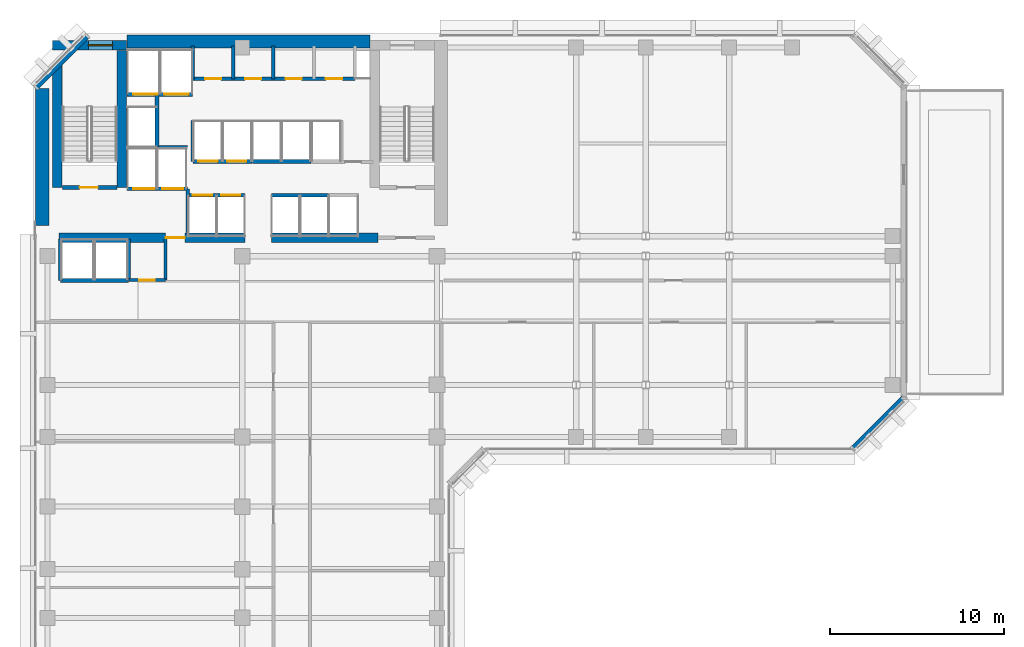
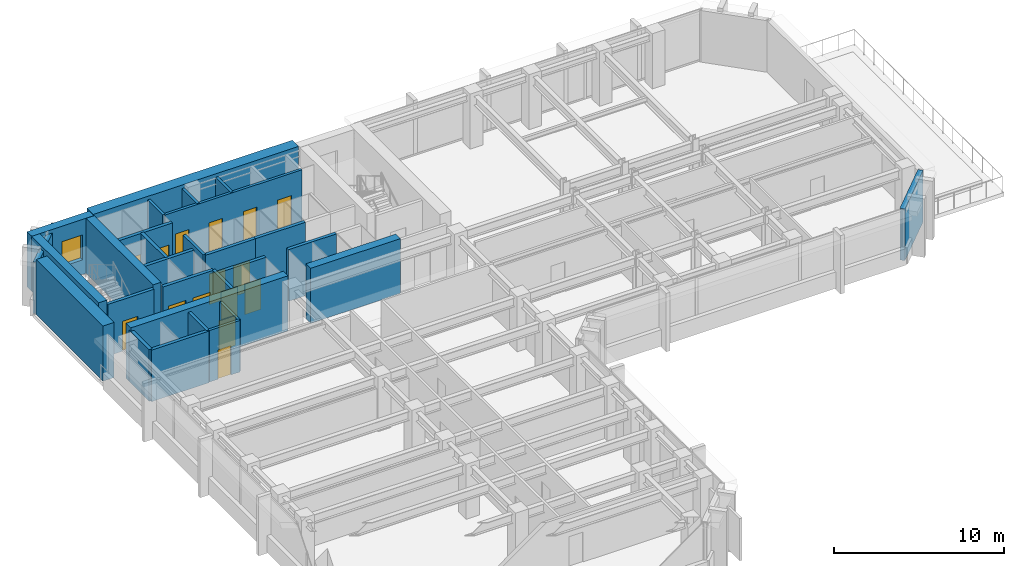
# One storey, part 7 of 12: 29 walls, 15 doors, 1 window, 16 openings.
"""IFC4 building model written with IfcOpenShell, lengths in metres."""

from ifc_helpers import new_model, si_unit, direction, frame, frame_2d, origin, place, context, subcontext, project, spatial, rectangle, extrude, material, layer, layer_set, type_object, element, fill, save


model = new_model("IFC4")

# Units and contexts
model_context = context("Model", 3, precision=1e-05, world=origin(), true_north=direction((0.0, 1.0)))
body_context = subcontext(model_context, "Body", "Model", "MODEL_VIEW")
ifc_project = project(units=[si_unit("LENGTHUNIT", "METRE"), si_unit("AREAUNIT", "SQUARE_METRE"), si_unit("VOLUMEUNIT", "CUBIC_METRE"), si_unit("PLANEANGLEUNIT", "RADIAN"), si_unit("MASSUNIT", "GRAM", prefix="KILO")], contexts=[model_context])

# Site, building, storey
site_placement = place(None, origin())
site = spatial("IfcSite", under=ifc_project, at=site_placement, CompositionType="ELEMENT")
building_placement = place(site_placement, origin())
building = spatial("IfcBuilding", under=site, at=building_placement, Name="Kefirva Bronze Tower", CompositionType="ELEMENT")
storey_placement = place(building_placement, frame((0.0, 0.0, 110.550048828125)))
storey = spatial("IfcBuildingStorey", under=building, at=storey_placement, Name="L26", CompositionType="ELEMENT", Elevation=110.550048828125)

# Wall, opening, door
ifc_material_1 = material(Name="Gypsum fireboard shaftwall")
ifc_layer_1 = layer(ifc_material_1, 0.219970703125, Name="Gypsum fireboard shaftwall")
ifc_layer_set_1 = layer_set([ifc_layer_1], Name="Gypsum fireboard shaftwall")
wall_type_1 = type_object("IfcWallType", Name="Fire-Rated Shaft Enclosure Wall 220mm", PredefinedType="PARTITIONING", material=ifc_layer_set_1)
wall_1_placement = place(storey_placement, frame((1.64990234375, 37.14990234375, 0.0), z_axis=(0.0, 0.0, 1.0), x_axis=(1.0, 0.0, 0.0)))
wall_1 = element("IfcWall", 1, at=wall_1_placement, inside=storey, type_object=wall_type_1, Name="L26 Partition W-L26-ST1S", PredefinedType="PARTITIONING", context=body_context, shape_type="SweptSolid", body=[
    extrude(rectangle(XDim=3.150146484375, YDim=0.219970703125, at=frame_2d((1.5751953125, 0.0))), origin(), (0.0, 0.0, 1.0), 3.7099609375),
])
opening_1_placement = place(wall_1_placement, frame((2.050048828125, 0.0, 0.0), z_axis=(0.0, 0.0, 1.0), x_axis=(-1.0, 0.0, 0.0)))
opening_1 = element("IfcOpeningElement", 2, at=opening_1_placement, cuts=wall_1, Name="Opening L26-D001", PredefinedType="OPENING", context=body_context, shape_type="SweptSolid", body=[
    extrude(rectangle(XDim=1.050048828125, YDim=2.14990234375, at=frame_2d((0.52490234375, 1.074951171875))), frame((0.0, 0.1201171875, 0.0), z_axis=(0.0, -1.0, 0.0), x_axis=(1.0, 0.0, 0.0)), (0.0, 0.0, 1.0), 0.239990234375),
])
ifc_material_2 = material(Name="Painted galvanized steel", Category="steel")
door_type_1 = type_object("IfcDoorType", Name="Fire Stair Enclosure Door 1050x2150 FD90S", OperationType="NOTDEFINED", PredefinedType="DOOR", material=ifc_material_2)
door_1_placement = place(opening_1_placement, origin())
door_1 = element("IfcDoor", 3, at=door_1_placement, inside=storey, type_object=door_type_1, Name="Door L26-D001", OperationType="SINGLE_SWING_RIGHT", OverallHeight=2.14990234375, OverallWidth=1.050048828125, PredefinedType="DOOR", context=body_context, shape_type="SweptSolid", body=[
    extrude(rectangle(XDim=1.050048828125, YDim=2.14990234375, at=frame_2d((0.52490234375, 1.074951171875))), frame((0.0, 0.02490234375, 0.0), z_axis=(0.0, -1.0, 0.0), x_axis=(1.0, 0.0, 0.0)), (0.0, 0.0, 1.0), 0.050048828125),
])
fill(opening_1, door_1)

# Wall, openings, doors
wall_2_placement = place(storey_placement, frame((5.3798828125, 37.080078125, 0.0), z_axis=(0.0, 0.0, 1.0), x_axis=(1.0, 0.0, 0.0)))
wall_2 = element("IfcWall", 4, at=wall_2_placement, inside=storey, type_object=wall_type_1, Name="L26 Partition W-L26-FFS", PredefinedType="PARTITIONING", context=body_context, shape_type="SweptSolid", body=[
    extrude(rectangle(XDim=3.460205078125, YDim=0.219970703125, at=frame_2d((1.72998046875, 0.0))), origin(), (0.0, 0.0, 1.0), 3.7099609375),
])
opening_2_placement = place(wall_2_placement, frame((1.550048828125, 0.0, 0.0), z_axis=(0.0, 0.0, 1.0), x_axis=(-1.0, 0.0, 0.0)))
opening_2 = element("IfcOpeningElement", 5, at=opening_2_placement, cuts=wall_2, Name="Opening L26-LD-FF1", PredefinedType="OPENING", context=body_context, shape_type="SweptSolid", body=[
    extrude(rectangle(XDim=1.199951171875, YDim=2.199951171875, at=frame_2d((0.60009765625, 1.10009765625))), frame((0.0, 0.1201171875, 0.0), z_axis=(0.0, -1.0, 0.0), x_axis=(1.0, 0.0, 0.0)), (0.0, 0.0, 1.0), 0.239990234375),
])
opening_3_placement = place(wall_2_placement, frame((3.219970703125, 0.0, 0.0), z_axis=(0.0, 0.0, 1.0), x_axis=(-1.0, 0.0, 0.0)))
opening_3 = element("IfcOpeningElement", 6, at=opening_3_placement, cuts=wall_2, Name="Opening L26-LD-FF2", PredefinedType="OPENING", context=body_context, shape_type="SweptSolid", body=[
    extrude(rectangle(XDim=1.199951171875, YDim=2.199951171875, at=frame_2d((0.60009765625, 1.10009765625))), frame((0.0, 0.1201171875, 0.0), z_axis=(0.0, -1.0, 0.0), x_axis=(1.0, 0.0, 0.0)), (0.0, 0.0, 1.0), 0.239990234375),
])
ifc_material_3 = material(Name="Stainless steel 316", Category="steel")
door_type_2 = type_object("IfcDoorType", Name="Firefighting Lift Sliding Door 1200x2200", OperationType="SLIDING_TO_RIGHT", PredefinedType="DOOR", material=ifc_material_3)
door_2_placement = place(opening_2_placement, origin())
door_2 = element("IfcDoor", 7, at=door_2_placement, inside=storey, type_object=door_type_2, Name="Door L26-LD-FF1", OperationType="SLIDING_TO_RIGHT", OverallHeight=2.199951171875, OverallWidth=1.199951171875, PredefinedType="DOOR", context=body_context, shape_type="SweptSolid", body=[
    extrude(rectangle(XDim=1.199951171875, YDim=2.199951171875, at=frame_2d((0.60009765625, 1.10009765625))), frame((0.0, 0.02490234375, 0.0), z_axis=(0.0, -1.0, 0.0), x_axis=(1.0, 0.0, 0.0)), (0.0, 0.0, 1.0), 0.050048828125),
])
fill(opening_2, door_2)
door_3_placement = place(opening_3_placement, origin())
door_3 = element("IfcDoor", 8, at=door_3_placement, inside=storey, type_object=door_type_2, Name="Door L26-LD-FF2", OperationType="SLIDING_TO_RIGHT", OverallHeight=2.199951171875, OverallWidth=1.199951171875, PredefinedType="DOOR", context=body_context, shape_type="SweptSolid", body=[
    extrude(rectangle(XDim=1.199951171875, YDim=2.199951171875, at=frame_2d((0.60009765625, 1.10009765625))), frame((0.0, 0.02490234375, 0.0), z_axis=(0.0, -1.0, 0.0), x_axis=(1.0, 0.0, 0.0)), (0.0, 0.0, 1.0), 0.050048828125),
])
fill(opening_3, door_3)

# Wall
wall_3_placement = place(storey_placement, frame((5.3798828125, 39.449951171875, 0.0), z_axis=(0.0, 0.0, 1.0), x_axis=(1.0, 0.0, 0.0)))
element("IfcWall", 9, at=wall_3_placement, inside=storey, type_object=wall_type_1, Name="L26 Partition W-L26-FFN", PredefinedType="PARTITIONING", context=body_context, shape_type="SweptSolid", body=[
    extrude(rectangle(XDim=3.460205078125, YDim=0.219970703125, at=frame_2d((1.72998046875, 0.0))), origin(), (0.0, 0.0, 1.0), 3.7099609375),
])

# Wall, openings, doors
wall_4_placement = place(storey_placement, frame((5.3798828125, 42.5, 0.0), z_axis=(0.0, 0.0, 1.0), x_axis=(1.0, 0.0, 0.0)))
wall_4 = element("IfcWall", 10, at=wall_4_placement, inside=storey, type_object=wall_type_1, Name="L26 Partition W-L26-SVS", PredefinedType="PARTITIONING", context=body_context, shape_type="SweptSolid", body=[
    extrude(rectangle(XDim=3.77001953125, YDim=0.219970703125, at=frame_2d((1.885009765625, 0.0))), origin(), (0.0, 0.0, 1.0), 3.7099609375),
])
opening_4_placement = place(wall_4_placement, frame((1.75, 0.0, 0.0), z_axis=(0.0, 0.0, 1.0), x_axis=(-1.0, 0.0, 0.0)))
opening_4 = element("IfcOpeningElement", 11, at=opening_4_placement, cuts=wall_4, Name="Opening L26-LD-SV1", PredefinedType="OPENING", context=body_context, shape_type="SweptSolid", body=[
    extrude(rectangle(XDim=1.39990234375, YDim=2.199951171875, at=frame_2d((0.699951171875, 1.10009765625))), frame((0.0, 0.1201171875, 0.0), z_axis=(0.0, -1.0, 0.0), x_axis=(1.0, 0.0, 0.0)), (0.0, 0.0, 1.0), 0.239990234375),
])
opening_5_placement = place(wall_4_placement, frame((3.52978515625, 0.0, 0.0), z_axis=(0.0, 0.0, 1.0), x_axis=(-1.0, 0.0, 0.0)))
opening_5 = element("IfcOpeningElement", 12, at=opening_5_placement, cuts=wall_4, Name="Opening L26-LD-SV2", PredefinedType="OPENING", context=body_context, shape_type="SweptSolid", body=[
    extrude(rectangle(XDim=1.39990234375, YDim=2.199951171875, at=frame_2d((0.699951171875, 1.10009765625))), frame((0.0, 0.1201171875, 0.0), z_axis=(0.0, -1.0, 0.0), x_axis=(1.0, 0.0, 0.0)), (0.0, 0.0, 1.0), 0.239990234375),
])
door_type_3 = type_object("IfcDoorType", Name="Goods Lift Bi-Parting Sliding Door 1400x2200", OperationType="SLIDING_TO_LEFT", PredefinedType="DOOR", material=ifc_material_3)
door_4_placement = place(opening_4_placement, origin())
door_4 = element("IfcDoor", 13, at=door_4_placement, inside=storey, type_object=door_type_3, Name="Door L26-LD-SV1", OperationType="SLIDING_TO_LEFT", OverallHeight=2.199951171875, OverallWidth=1.39990234375, PredefinedType="DOOR", context=body_context, shape_type="SweptSolid", body=[
    extrude(rectangle(XDim=1.39990234375, YDim=2.199951171875, at=frame_2d((0.699951171875, 1.10009765625))), frame((0.0, 0.02490234375, 0.0), z_axis=(0.0, -1.0, 0.0), x_axis=(1.0, 0.0, 0.0)), (0.0, 0.0, 1.0), 0.050048828125),
])
fill(opening_4, door_4)
door_5_placement = place(opening_5_placement, origin())
door_5 = element("IfcDoor", 14, at=door_5_placement, inside=storey, type_object=door_type_3, Name="Door L26-LD-SV2", OperationType="SLIDING_TO_LEFT", OverallHeight=2.199951171875, OverallWidth=1.39990234375, PredefinedType="DOOR", context=body_context, shape_type="SweptSolid", body=[
    extrude(rectangle(XDim=1.39990234375, YDim=2.199951171875, at=frame_2d((0.699951171875, 1.10009765625))), frame((0.0, 0.02490234375, 0.0), z_axis=(0.0, -1.0, 0.0), x_axis=(1.0, 0.0, 0.0)), (0.0, 0.0, 1.0), 0.050048828125),
])
fill(opening_5, door_5)

# Walls
wall_5_placement = place(storey_placement, frame((7.10009765625, 39.52001953125, 0.0), z_axis=(0.0, 0.0, 1.0), x_axis=(0.0, 1.0, 0.0)))
element("IfcWall", 15, at=wall_5_placement, inside=storey, type_object=wall_type_1, Name="L26 Partition W-L26-HP3E", PredefinedType="PARTITIONING", context=body_context, shape_type="SweptSolid", body=[
    extrude(rectangle(XDim=2.929931640625, YDim=0.219970703125, at=frame_2d((1.46484375, 0.0))), origin(), (0.0, 0.0, 1.0), 3.7099609375),
])
wall_6_placement = place(storey_placement, frame((1.550048828125, 31.800048828125, 0.0), z_axis=(0.0, 0.0, 1.0), x_axis=(1.0, 0.0, 0.0)))
element("IfcWall", 16, at=wall_6_placement, inside=storey, type_object=wall_type_1, Name="L26 Partition W-L26-OBS", PredefinedType="PARTITIONING", context=body_context, shape_type="SweptSolid", body=[
    extrude(rectangle(XDim=3.89990234375, YDim=0.219970703125, at=frame_2d((1.949951171875, 0.0))), origin(), (0.0, 0.0, 1.0), 3.7099609375),
])
for number, where, z_axis, x_axis, name in (
    (17, (1.550048828125, 31.800048828125, 0.0), (0.0, 0.0, 1.0), (0.0, 1.0, 0.0), "L26 Partition W-L26-OBW"),
    (18, (5.449951171875, 31.800048828125, 0.0), (0.0, 0.0, 1.0), (0.0, 1.0, 0.0), "L26 Partition W-L26-OBE"),
):
    element("IfcWall", number, at=place(storey_placement, frame(where, z_axis=z_axis, x_axis=x_axis)), inside=storey, type_object=wall_type_1, Name=name, PredefinedType="PARTITIONING", context=body_context, shape_type="SweptSolid", body=[
        extrude(rectangle(XDim=2.3798828125, YDim=0.219970703125, at=frame_2d((1.18994140625, 0.0))), origin(), (0.0, 0.0, 1.0), 3.7099609375),
    ])
wall_7_placement = place(storey_placement, frame((9.159912109375, 38.64990234375, 0.0), z_axis=(0.0, 0.0, 1.0), x_axis=(0.0, 1.0, 0.0)))
element("IfcWall", 19, at=wall_7_placement, inside=storey, type_object=wall_type_1, Name="L26 Partition W-L26-LP3W", PredefinedType="PARTITIONING", context=body_context, shape_type="SweptSolid", body=[
    extrude(rectangle(XDim=2.35009765625, YDim=0.199951171875, at=frame_2d((1.175048828125, 0.0))), origin(), (0.0, 0.0, 1.0), 3.7099609375),
])

# Wall, openings, doors
wall_8_placement = place(storey_placement, frame((8.89990234375, 36.699951171875, 0.0), z_axis=(0.0, 0.0, 1.0), x_axis=(1.0, 0.0, 0.0)))
wall_8 = element("IfcWall", 20, at=wall_8_placement, inside=storey, type_object=wall_type_1, Name="L26 Partition W-L26-LPS", PredefinedType="PARTITIONING", context=body_context, shape_type="SweptSolid", body=[
    extrude(rectangle(XDim=3.260009765625, YDim=0.219970703125, at=frame_2d((1.6298828125, 0.0))), origin(), (0.0, 0.0, 1.0), 3.7099609375),
])
opening_6_placement = place(wall_8_placement, frame((0.260009765625, 0.0, 0.0)))
opening_6 = element("IfcOpeningElement", 21, at=opening_6_placement, cuts=wall_8, Name="Opening L26-LD-LP1", PredefinedType="OPENING", context=body_context, shape_type="SweptSolid", body=[
    extrude(rectangle(XDim=1.10009765625, YDim=2.199951171875, at=frame_2d((0.550048828125, 1.10009765625))), frame((0.0, 0.1201171875, 0.0), z_axis=(0.0, -1.0, 0.0), x_axis=(1.0, 0.0, 0.0)), (0.0, 0.0, 1.0), 0.239990234375),
])
opening_7_placement = place(wall_8_placement, frame((1.8798828125, 0.0, 0.0)))
opening_7 = element("IfcOpeningElement", 22, at=opening_7_placement, cuts=wall_8, Name="Opening L26-LD-LP2", PredefinedType="OPENING", context=body_context, shape_type="SweptSolid", body=[
    extrude(rectangle(XDim=1.10009765625, YDim=2.199951171875, at=frame_2d((0.550048828125, 1.10009765625))), frame((0.0, 0.1201171875, 0.0), z_axis=(0.0, -1.0, 0.0), x_axis=(1.0, 0.0, 0.0)), (0.0, 0.0, 1.0), 0.239990234375),
])
door_type_4 = type_object("IfcDoorType", Name="Passenger Lift Sliding Landing Door 1100x2200", OperationType="SLIDING_TO_LEFT", PredefinedType="DOOR", material=ifc_material_3)
door_6_placement = place(opening_6_placement, origin())
door_6 = element("IfcDoor", 23, at=door_6_placement, inside=storey, type_object=door_type_4, Name="Door L26-LD-LP1", OperationType="SLIDING_TO_LEFT", OverallHeight=2.199951171875, OverallWidth=1.10009765625, PredefinedType="DOOR", context=body_context, shape_type="SweptSolid", body=[
    extrude(rectangle(XDim=1.10009765625, YDim=2.199951171875, at=frame_2d((0.550048828125, 1.10009765625))), frame((0.0, 0.02490234375, 0.0), z_axis=(0.0, -1.0, 0.0), x_axis=(1.0, 0.0, 0.0)), (0.0, 0.0, 1.0), 0.050048828125),
])
fill(opening_6, door_6)
door_7_placement = place(opening_7_placement, origin())
door_7 = element("IfcDoor", 24, at=door_7_placement, inside=storey, type_object=door_type_4, Name="Door L26-LD-LP2", OperationType="SLIDING_TO_LEFT", OverallHeight=2.199951171875, OverallWidth=1.10009765625, PredefinedType="DOOR", context=body_context, shape_type="SweptSolid", body=[
    extrude(rectangle(XDim=1.10009765625, YDim=2.199951171875, at=frame_2d((0.550048828125, 1.10009765625))), frame((0.0, 0.02490234375, 0.0), z_axis=(0.0, -1.0, 0.0), x_axis=(1.0, 0.0, 0.0)), (0.0, 0.0, 1.0), 0.050048828125),
])
fill(opening_7, door_7)

wall_9_placement = place(storey_placement, frame((9.179931640625, 38.64990234375, 0.0), z_axis=(0.0, 0.0, 1.0), x_axis=(1.0, 0.0, 0.0)))
wall_9 = element("IfcWall", 25, at=wall_9_placement, inside=storey, type_object=wall_type_1, Name="L26 Partition W-L26-LPN", PredefinedType="PARTITIONING", context=body_context, shape_type="SweptSolid", body=[
    extrude(rectangle(XDim=3.380126953125, YDim=0.219970703125, at=frame_2d((1.68994140625, 0.0))), origin(), (0.0, 0.0, 1.0), 3.7099609375),
])
opening_8_placement = place(wall_9_placement, frame((0.300048828125, 0.0, 0.0)))
opening_8 = element("IfcOpeningElement", 26, at=opening_8_placement, cuts=wall_9, Name="Opening L26-LD-LP3", PredefinedType="OPENING", context=body_context, shape_type="SweptSolid", body=[
    extrude(rectangle(XDim=1.10009765625, YDim=2.199951171875, at=frame_2d((0.550048828125, 1.10009765625))), frame((0.0, 0.1201171875, 0.0), z_axis=(0.0, -1.0, 0.0), x_axis=(1.0, 0.0, 0.0)), (0.0, 0.0, 1.0), 0.239990234375),
])
opening_9_placement = place(wall_9_placement, frame((1.949951171875, 0.0, 0.0)))
opening_9 = element("IfcOpeningElement", 27, at=opening_9_placement, cuts=wall_9, Name="Opening L26-LD-LP4", PredefinedType="OPENING", context=body_context, shape_type="SweptSolid", body=[
    extrude(rectangle(XDim=1.10009765625, YDim=2.199951171875, at=frame_2d((0.550048828125, 1.10009765625))), frame((0.0, 0.1201171875, 0.0), z_axis=(0.0, -1.0, 0.0), x_axis=(1.0, 0.0, 0.0)), (0.0, 0.0, 1.0), 0.239990234375),
])
door_8_placement = place(opening_8_placement, origin())
door_8 = element("IfcDoor", 28, at=door_8_placement, inside=storey, type_object=door_type_4, Name="Door L26-LD-LP3", OperationType="SLIDING_TO_LEFT", OverallHeight=2.199951171875, OverallWidth=1.10009765625, PredefinedType="DOOR", context=body_context, shape_type="SweptSolid", body=[
    extrude(rectangle(XDim=1.10009765625, YDim=2.199951171875, at=frame_2d((0.550048828125, 1.10009765625))), frame((0.0, 0.02490234375, 0.0), z_axis=(0.0, -1.0, 0.0), x_axis=(1.0, 0.0, 0.0)), (0.0, 0.0, 1.0), 0.050048828125),
])
fill(opening_8, door_8)
door_9_placement = place(opening_9_placement, origin())
door_9 = element("IfcDoor", 29, at=door_9_placement, inside=storey, type_object=door_type_4, Name="Door L26-LD-LP4", OperationType="SLIDING_TO_LEFT", OverallHeight=2.199951171875, OverallWidth=1.10009765625, PredefinedType="DOOR", context=body_context, shape_type="SweptSolid", body=[
    extrude(rectangle(XDim=1.10009765625, YDim=2.199951171875, at=frame_2d((0.550048828125, 1.10009765625))), frame((0.0, 0.02490234375, 0.0), z_axis=(0.0, -1.0, 0.0), x_axis=(1.0, 0.0, 0.0)), (0.0, 0.0, 1.0), 0.050048828125),
])
fill(opening_9, door_9)

# Walls
wall_10_placement = place(storey_placement, frame((13.679931640625, 36.699951171875, 0.0), z_axis=(0.0, 0.0, 1.0), x_axis=(1.0, 0.0, 0.0)))
element("IfcWall", 30, at=wall_10_placement, inside=storey, type_object=wall_type_1, Name="L26 Partition W-L26-MPS", PredefinedType="PARTITIONING", context=body_context, shape_type="SweptSolid", body=[
    extrude(rectangle(XDim=3.280029296875, YDim=0.219970703125, at=frame_2d((1.64013671875, 0.0))), origin(), (0.0, 0.0, 1.0), 3.7099609375),
])
wall_11_placement = place(storey_placement, frame((12.580078125, 38.64990234375, 0.0), z_axis=(0.0, 0.0, 1.0), x_axis=(1.0, 0.0, 0.0)))
element("IfcWall", 31, at=wall_11_placement, inside=storey, type_object=wall_type_1, Name="L26 Partition W-L26-MPN", PredefinedType="PARTITIONING", context=body_context, shape_type="SweptSolid", body=[
    extrude(rectangle(XDim=3.3798828125, YDim=0.219970703125, at=frame_2d((1.68994140625, 0.0))), origin(), (0.0, 0.0, 1.0), 3.7099609375),
])
ifc_material_4 = material(Name="Gypsum fireboard barrier")
ifc_layer_2 = layer(ifc_material_4, 0.199951171875, Name="Gypsum fireboard barrier")
ifc_layer_set_2 = layer_set([ifc_layer_2], Name="Gypsum fireboard barrier")
wall_type_2 = type_object("IfcWallType", Name="Firefighting Lobby Barrier Wall 200mm", PredefinedType="PARTITIONING", material=ifc_layer_set_2)
wall_12_placement = place(storey_placement, frame((8.860107421875, 34.550048828125, 0.0), z_axis=(0.0, 0.0, 1.0), x_axis=(0.0, 1.0, 0.0)))
element("IfcWall", 32, at=wall_12_placement, inside=storey, type_object=wall_type_2, Name="L26 Partition W-L26-FFLE", PredefinedType="PARTITIONING", context=body_context, shape_type="SweptSolid", body=[
    extrude(rectangle(XDim=2.5, YDim=0.199951171875, at=frame_2d((1.25, 0.0))), origin(), (0.0, 0.0, 1.0), 3.7099609375),
])
ifc_material_5 = material(Name="Precast concrete C40/50", Category="concrete")
ifc_layer_3 = layer(ifc_material_5, 0.320068359375, Name="Precast concrete C40/50")
ifc_layer_set_3 = layer_set([ifc_layer_3], Name="Precast concrete C40/50")
wall_type_3 = type_object("IfcWallType", Name="Precast Insulated Exterior Wall 320mm", PredefinedType="SOLIDWALL", material=ifc_layer_set_3)
for number, where, z_axis, x_axis, name in (
    (33, (47.125732421875, 22.152099609375, 0.0), (0.0, 0.0, 1.0), (0.707136318428, 0.707077242712, 0.0), "L26 Exterior Facade Wall 3"),
    (34, (3.07421875, 45.847900390625, 0.0), (0.0, 0.0, 1.0), (-0.707106781187, -0.707106781187, 0.0), "L26 Exterior Facade Wall 6"),
):
    element("IfcWall", number, at=place(storey_placement, frame(where, z_axis=z_axis, x_axis=x_axis)), inside=storey, type_object=wall_type_3, Name=name, PredefinedType="SOLIDWALL", context=body_context, shape_type="SweptSolid", body=[
        extrude(rectangle(XDim=4.132568359375, YDim=0.320068359375, at=frame_2d((2.06640625, 0.0))), origin(), (0.0, 0.0, 1.0), 3.7099609375),
    ])

# Wall, opening, window
ifc_material_6 = material(Name="Concrete C50/60", Category="concrete")
ifc_layer_4 = layer(ifc_material_6, 0.550048828125, Name="Concrete C50/60")
ifc_layer_set_4 = layer_set([ifc_layer_4], Name="Concrete C50/60")
wall_type_4 = type_object("IfcWallType", Name="RC Rear Core Exterior Wall 550mm", PredefinedType="SHEAR", material=ifc_layer_set_4)
wall_13_placement = place(storey_placement, frame((1.10009765625, 45.320068359375, 0.0), z_axis=(0.0, 0.0, 1.0), x_axis=(1.0, 0.0, 0.0)))
wall_13 = element("IfcWall", 35, at=wall_13_placement, inside=storey, type_object=wall_type_4, Name="L26 Stair 1 North Shear Wall", PredefinedType="SHEAR", context=body_context, shape_type="SweptSolid", body=[
    extrude(rectangle(XDim=4.239990234375, YDim=0.550048828125, at=frame_2d((2.1201171875, 0.0))), origin(), (0.0, 0.0, 1.0), 3.9599609375),
])
opening_10_placement = place(wall_13_placement, frame((2.050048828125, 0.0, 1.050048828125)))
opening_10 = element("IfcOpeningElement", 36, at=opening_10_placement, cuts=wall_13, Name="Opening WN-03", PredefinedType="OPENING", context=body_context, shape_type="SweptSolid", body=[
    extrude(rectangle(XDim=1.39990234375, YDim=1.800048828125, at=frame_2d((0.699951171875, 0.89990234375))), frame((0.0, 0.28515625, 0.0), z_axis=(0.0, -1.0, 0.0), x_axis=(1.0, 0.0, 0.0)), (0.0, 0.0, 1.0), 0.570068359375),
])
ifc_material_7 = material(Name="Laminated low-E double glazing", Category="glass")
window_type = type_object("IfcWindowType", Name="Rear-Core Stair Daylight Window 1400x1800", PartitioningType="SINGLE_PANEL", PredefinedType="WINDOW", material=ifc_material_7)
window_placement = place(opening_10_placement, origin())
window = element("IfcWindow", 37, at=window_placement, inside=storey, type_object=window_type, Name="L26 Stair 1 Daylight Window", OverallHeight=1.800048828125, OverallWidth=1.39990234375, PartitioningType="SINGLE_PANEL", PredefinedType="WINDOW", context=body_context, shape_type="SweptSolid", body=[
    extrude(rectangle(XDim=1.39990234375, YDim=1.800048828125, at=frame_2d((0.699951171875, 0.89990234375))), frame((0.0, 0.030029296875, 0.0), z_axis=(0.0, -1.0, 0.0), x_axis=(1.0, 0.0, 0.0)), (0.0, 0.0, 1.0), 0.06005859375),
])
fill(opening_10, window)

# Walls
ifc_material_8 = material(Name="Concrete C60/75", Category="concrete")
ifc_layer_5 = layer(ifc_material_8, 0.75, Name="Concrete C60/75")
ifc_layer_set_5 = layer_set([ifc_layer_5], Name="Concrete C60/75")
wall_type_5 = type_object("IfcWallType", Name="RC Rear Core Exterior Wall 750mm", PredefinedType="SHEAR", material=ifc_layer_set_5)
wall_14_placement = place(storey_placement, frame((5.360107421875, 45.550048828125, 0.0), z_axis=(0.0, 0.0, 1.0), x_axis=(1.0, 0.0, 0.0)))
element("IfcWall", 38, at=wall_14_placement, inside=storey, type_object=wall_type_5, Name="L26 Rear Core North Shear Wall", PredefinedType="SHEAR", context=body_context, shape_type="SweptSolid", body=[
    extrude(rectangle(XDim=13.97998046875, YDim=0.75, at=frame_2d((6.989990234375, 0.0))), origin(), (0.0, 0.0, 1.0), 3.9599609375),
])
wall_15_placement = place(storey_placement, frame((0.5, 34.949951171875, 0.0), z_axis=(0.0, 0.0, 1.0), x_axis=(0.0, 1.0, 0.0)))
element("IfcWall", 39, at=wall_15_placement, inside=storey, type_object=wall_type_5, Name="L26 Rear Core West Shear Wall", PredefinedType="SHEAR", context=body_context, shape_type="SweptSolid", body=[
    extrude(rectangle(XDim=7.900146484375, YDim=0.75, at=frame_2d((3.9501953125, 0.0))), origin(), (0.0, 0.0, 1.0), 3.9599609375),
])
ifc_layer_6 = layer(ifc_material_6, 0.550048828125, Name="Concrete C50/60")
ifc_layer_set_6 = layer_set([ifc_layer_6], Name="Concrete C50/60")
wall_type_6 = type_object("IfcWallType", Name="RC Rear Core Interior Wall 550mm", PredefinedType="SHEAR", material=ifc_layer_set_6)
for number, where, z_axis, x_axis, name in (
    (40, (1.3701171875, 37.14990234375, 0.0), (0.0, 0.0, 1.0), (0.0, 1.0, 0.0), "L26 Stair 1 West Shear Wall"),
    (41, (5.070068359375, 37.14990234375, 0.0), (0.0, 0.0, 1.0), (0.0, 1.0, 0.0), "L26 Stair 1 East Shear Wall"),
):
    element("IfcWall", number, at=place(storey_placement, frame(where, z_axis=z_axis, x_axis=x_axis)), inside=storey, type_object=wall_type_6, Name=name, PredefinedType="SHEAR", context=body_context, shape_type="SweptSolid", body=[
        extrude(rectangle(XDim=7.89013671875, YDim=0.550048828125, at=frame_2d((3.945068359375, 0.0))), origin(), (0.0, 0.0, 1.0), 3.9599609375),
    ])

# Wall, opening, door
ifc_layer_7 = layer(ifc_material_8, 0.75, Name="Concrete C60/75")
ifc_layer_set_7 = layer_set([ifc_layer_7], Name="Concrete C60/75")
wall_type_7 = type_object("IfcWallType", Name="RC Rear Core Interior Wall 750mm", PredefinedType="SHEAR", material=ifc_layer_set_7)
wall_16_placement = place(storey_placement, frame((1.449951171875, 34.25, 0.0), z_axis=(0.0, 0.0, 1.0), x_axis=(1.0, 0.0, 0.0)))
wall_16 = element("IfcWall", 42, at=wall_16_placement, inside=storey, type_object=wall_type_7, Name="L26 Rear Core South-West Shear Wall", PredefinedType="SHEAR", context=body_context, shape_type="SweptSolid", body=[
    extrude(rectangle(XDim=10.7099609375, YDim=0.550048828125, at=frame_2d((5.35498046875, 0.0))), origin(), (0.0, 0.0, 1.0), 3.9599609375),
])
opening_11_placement = place(wall_16_placement, frame((7.25, 0.0, 0.0), z_axis=(0.0, 0.0, 1.0), x_axis=(-1.0, 0.0, 0.0)))
opening_11 = element("IfcOpeningElement", 43, at=opening_11_placement, cuts=wall_16, Name="Opening L26-D002", PredefinedType="OPENING", context=body_context, shape_type="SweptSolid", body=[
    extrude(rectangle(XDim=1.10009765625, YDim=2.14990234375, at=frame_2d((0.550048828125, 1.074951171875))), frame((0.0, 0.28515625, 0.0), z_axis=(0.0, -1.0, 0.0), x_axis=(1.0, 0.0, 0.0)), (0.0, 0.0, 1.0), 0.570068359375),
])
door_type_5 = type_object("IfcDoorType", Name="Firefighting Lobby Smoke Door 1100x2150 FD60S", OperationType="NOTDEFINED", PredefinedType="DOOR", material=ifc_material_2)
door_10_placement = place(opening_11_placement, origin())
door_10 = element("IfcDoor", 44, at=door_10_placement, inside=storey, type_object=door_type_5, Name="Door L26-D002", OperationType="SINGLE_SWING_LEFT", OverallHeight=2.14990234375, OverallWidth=1.10009765625, PredefinedType="DOOR", context=body_context, shape_type="SweptSolid", body=[
    extrude(rectangle(XDim=1.10009765625, YDim=2.14990234375, at=frame_2d((0.550048828125, 1.074951171875))), frame((0.0, 0.02490234375, 0.0), z_axis=(0.0, -1.0, 0.0), x_axis=(1.0, 0.0, 0.0)), (0.0, 0.0, 1.0), 0.050048828125),
])
fill(opening_11, door_10)

# Wall
wall_17_placement = place(storey_placement, frame((13.679931640625, 34.25, 0.0), z_axis=(0.0, 0.0, 1.0), x_axis=(1.0, 0.0, 0.0)))
element("IfcWall", 45, at=wall_17_placement, inside=storey, type_object=wall_type_7, Name="L26 Rear Core South-East Shear Wall", PredefinedType="SHEAR", context=body_context, shape_type="SweptSolid", body=[
    extrude(rectangle(XDim=6.1201171875, YDim=0.550048828125, at=frame_2d((3.06005859375, 0.0))), origin(), (0.0, 0.0, 1.0), 3.9599609375),
])

# Wall, opening, door
ifc_material_9 = material(Name="Moisture-resistant partition")
ifc_layer_8 = layer(ifc_material_9, 0.179931640625, Name="Moisture-resistant partition")
ifc_layer_set_8 = layer_set([ifc_layer_8], Name="Moisture-resistant partition")
wall_type_8 = type_object("IfcWallType", Name="Sanitary Plumbing Chase Wall 180mm", PredefinedType="PLUMBINGWALL", material=ifc_layer_set_8)
wall_18_placement = place(storey_placement, frame((5.5, 31.820068359375, 0.0), z_axis=(0.0, 0.0, 1.0), x_axis=(1.0, 0.0, 0.0)))
wall_18 = element("IfcWall", 46, at=wall_18_placement, inside=storey, type_object=wall_type_8, Name="L26 Partition W-L26-TCS", PredefinedType="PLUMBINGWALL", context=body_context, shape_type="SweptSolid", body=[
    extrude(rectangle(XDim=2.080078125, YDim=0.179931640625, at=frame_2d((1.0400390625, 0.0))), origin(), (0.0, 0.0, 1.0), 3.7099609375),
])
opening_12_placement = place(wall_18_placement, frame((1.47998046875, 0.0, 0.0), z_axis=(0.0, 0.0, 1.0), x_axis=(-1.0, 0.0, 0.0)))
opening_12 = element("IfcOpeningElement", 47, at=opening_12_placement, cuts=wall_18, Name="Opening L26-D-TCL1", PredefinedType="OPENING", context=body_context, shape_type="SweptSolid", body=[
    extrude(rectangle(XDim=0.89990234375, YDim=2.10009765625, at=frame_2d((0.449951171875, 1.050048828125))), frame((0.0, 0.10009765625, 0.0), z_axis=(0.0, -1.0, 0.0), x_axis=(1.0, 0.0, 0.0)), (0.0, 0.0, 1.0), 0.199951171875),
])
door_type_6 = type_object("IfcDoorType", Name="Telecom & Meter Fire Door 900x2100 FD60S", OperationType="NOTDEFINED", PredefinedType="DOOR", material=ifc_material_2)
door_11_placement = place(opening_12_placement, origin())
door_11 = element("IfcDoor", 48, at=door_11_placement, inside=storey, type_object=door_type_6, Name="Door L26-D-TCL1", OperationType="SINGLE_SWING_LEFT", OverallHeight=2.10009765625, OverallWidth=0.89990234375, PredefinedType="DOOR", context=body_context, shape_type="SweptSolid", body=[
    extrude(rectangle(XDim=0.89990234375, YDim=2.10009765625, at=frame_2d((0.449951171875, 1.050048828125))), frame((0.0, 0.02490234375, 0.0), z_axis=(0.0, -1.0, 0.0), x_axis=(1.0, 0.0, 0.0)), (0.0, 0.0, 1.0), 0.050048828125),
])
fill(opening_12, door_11)

# Wall
wall_19_placement = place(storey_placement, frame((7.580078125, 31.820068359375, 0.0), z_axis=(0.0, 0.0, 1.0), x_axis=(0.0, 1.0, 0.0)))
element("IfcWall", 49, at=wall_19_placement, inside=storey, type_object=wall_type_8, Name="L26 Partition W-L26-TCE", PredefinedType="PLUMBINGWALL", context=body_context, shape_type="SweptSolid", body=[
    extrude(rectangle(XDim=2.35986328125, YDim=0.179931640625, at=frame_2d((1.179931640625, 0.0))), origin(), (0.0, 0.0, 1.0), 3.7099609375),
])

# Wall, openings, doors
wall_20_placement = place(storey_placement, frame((9.14990234375, 43.39990234375, 0.0), z_axis=(0.0, 0.0, 1.0), x_axis=(1.0, 0.0, 0.0)))
wall_20 = element("IfcWall", 50, at=wall_20_placement, inside=storey, type_object=wall_type_8, Name="L26 Partition W-L26-SVCS", PredefinedType="PLUMBINGWALL", context=body_context, shape_type="SweptSolid", body=[
    extrude(rectangle(XDim=9.330078125, YDim=0.179931640625, at=frame_2d((4.6650390625, 0.0))), origin(), (0.0, 0.0, 1.0), 3.7099609375),
])
opening_13_placement = place(wall_20_placement, frame((0.719970703125, 0.0, 0.0)))
opening_13 = element("IfcOpeningElement", 51, at=opening_13_placement, cuts=wall_20, Name="Opening L26-D-CSVC1", PredefinedType="OPENING", context=body_context, shape_type="SweptSolid", body=[
    extrude(rectangle(XDim=0.919921875, YDim=2.10009765625, at=frame_2d((0.4599609375, 1.050048828125))), frame((0.0, 0.10009765625, 0.0), z_axis=(0.0, -1.0, 0.0), x_axis=(1.0, 0.0, 0.0)), (0.0, 0.0, 1.0), 0.199951171875),
])
opening_14_placement = place(wall_20_placement, frame((3.02001953125, 0.0, 0.0)))
opening_14 = element("IfcOpeningElement", 52, at=opening_14_placement, cuts=wall_20, Name="Opening L26-D-CSVC2", PredefinedType="OPENING", context=body_context, shape_type="SweptSolid", body=[
    extrude(rectangle(XDim=0.919921875, YDim=2.10009765625, at=frame_2d((0.4599609375, 1.050048828125))), frame((0.0, 0.10009765625, 0.0), z_axis=(0.0, -1.0, 0.0), x_axis=(1.0, 0.0, 0.0)), (0.0, 0.0, 1.0), 0.199951171875),
])
opening_15_placement = place(wall_20_placement, frame((5.340087890625, 0.0, 0.0)))
opening_15 = element("IfcOpeningElement", 53, at=opening_15_placement, cuts=wall_20, Name="Opening L26-D-CSVC3", PredefinedType="OPENING", context=body_context, shape_type="SweptSolid", body=[
    extrude(rectangle(XDim=0.919921875, YDim=2.10009765625, at=frame_2d((0.4599609375, 1.050048828125))), frame((0.0, 0.10009765625, 0.0), z_axis=(0.0, -1.0, 0.0), x_axis=(1.0, 0.0, 0.0)), (0.0, 0.0, 1.0), 0.199951171875),
])
opening_16_placement = place(wall_20_placement, frame((7.659912109375, 0.0, 0.0)))
opening_16 = element("IfcOpeningElement", 54, at=opening_16_placement, cuts=wall_20, Name="Opening L26-D-CSVC4", PredefinedType="OPENING", context=body_context, shape_type="SweptSolid", body=[
    extrude(rectangle(XDim=0.949951171875, YDim=2.10009765625, at=frame_2d((0.47509765625, 1.050048828125))), frame((0.0, 0.10009765625, 0.0), z_axis=(0.0, -1.0, 0.0), x_axis=(1.0, 0.0, 0.0)), (0.0, 0.0, 1.0), 0.199951171875),
])
ifc_material_10 = material(Name="Moisture-resistant timber", Category="wood")
door_type_7 = type_object("IfcDoorType", Name="Accessible Sanitary & WC Door 920x2100", OperationType="NOTDEFINED", PredefinedType="DOOR", material=ifc_material_10)
door_12_placement = place(opening_13_placement, origin())
door_12 = element("IfcDoor", 55, at=door_12_placement, inside=storey, type_object=door_type_7, Name="Door L26-D-CSVC1", OperationType="SINGLE_SWING_RIGHT", OverallHeight=2.10009765625, OverallWidth=0.919921875, PredefinedType="DOOR", context=body_context, shape_type="SweptSolid", body=[
    extrude(rectangle(XDim=0.919921875, YDim=2.10009765625, at=frame_2d((0.4599609375, 1.050048828125))), frame((0.0, 0.02490234375, 0.0), z_axis=(0.0, -1.0, 0.0), x_axis=(1.0, 0.0, 0.0)), (0.0, 0.0, 1.0), 0.050048828125),
])
fill(opening_13, door_12)
door_13_placement = place(opening_14_placement, origin())
door_13 = element("IfcDoor", 56, at=door_13_placement, inside=storey, type_object=door_type_7, Name="Door L26-D-CSVC2", OperationType="SINGLE_SWING_LEFT", OverallHeight=2.10009765625, OverallWidth=0.919921875, PredefinedType="DOOR", context=body_context, shape_type="SweptSolid", body=[
    extrude(rectangle(XDim=0.919921875, YDim=2.10009765625, at=frame_2d((0.4599609375, 1.050048828125))), frame((0.0, 0.02490234375, 0.0), z_axis=(0.0, -1.0, 0.0), x_axis=(1.0, 0.0, 0.0)), (0.0, 0.0, 1.0), 0.050048828125),
])
fill(opening_14, door_13)
door_14_placement = place(opening_15_placement, origin())
door_14 = element("IfcDoor", 57, at=door_14_placement, inside=storey, type_object=door_type_7, Name="Door L26-D-CSVC3", OperationType="SINGLE_SWING_RIGHT", OverallHeight=2.10009765625, OverallWidth=0.919921875, PredefinedType="DOOR", context=body_context, shape_type="SweptSolid", body=[
    extrude(rectangle(XDim=0.919921875, YDim=2.10009765625, at=frame_2d((0.4599609375, 1.050048828125))), frame((0.0, 0.02490234375, 0.0), z_axis=(0.0, -1.0, 0.0), x_axis=(1.0, 0.0, 0.0)), (0.0, 0.0, 1.0), 0.050048828125),
])
fill(opening_15, door_14)
door_type_8 = type_object("IfcDoorType", Name="Riser & Plant Shaft Fire Door 950x2100 FD60S", OperationType="NOTDEFINED", PredefinedType="DOOR", material=ifc_material_2)
door_15_placement = place(opening_16_placement, origin())
door_15 = element("IfcDoor", 58, at=door_15_placement, inside=storey, type_object=door_type_8, Name="Door L26-D-CSVC4", OperationType="SINGLE_SWING_LEFT", OverallHeight=2.10009765625, OverallWidth=0.949951171875, PredefinedType="DOOR", context=body_context, shape_type="SweptSolid", body=[
    extrude(rectangle(XDim=0.949951171875, YDim=2.10009765625, at=frame_2d((0.47509765625, 1.050048828125))), frame((0.0, 0.02490234375, 0.0), z_axis=(0.0, -1.0, 0.0), x_axis=(1.0, 0.0, 0.0)), (0.0, 0.0, 1.0), 0.050048828125),
])
fill(opening_16, door_15)

# Walls
for number, where, z_axis, x_axis, name in (
    (59, (9.14990234375, 43.39990234375, 0.0), (0.0, 0.0, 1.0), (0.0, 1.0, 0.0), "L26 Partition W-L26-SVCW"),
    (60, (11.47998046875, 43.39990234375, 0.0), (0.0, 0.0, 1.0), (0.0, 1.0, 0.0), "L26 Partition W-L26-CSVD-1"),
    (61, (13.780029296875, 43.39990234375, 0.0), (0.0, 0.0, 1.0), (0.0, 1.0, 0.0), "L26 Partition W-L26-CSVD-2"),
):
    element("IfcWall", number, at=place(storey_placement, frame(where, z_axis=z_axis, x_axis=x_axis)), inside=storey, type_object=wall_type_8, Name=name, PredefinedType="PLUMBINGWALL", context=body_context, shape_type="SweptSolid", body=[
        extrude(rectangle(XDim=1.880126953125, YDim=0.179931640625, at=frame_2d((0.93994140625, 0.0))), origin(), (0.0, 0.0, 1.0), 3.7099609375),
    ])

save(model, "model.ifc")
